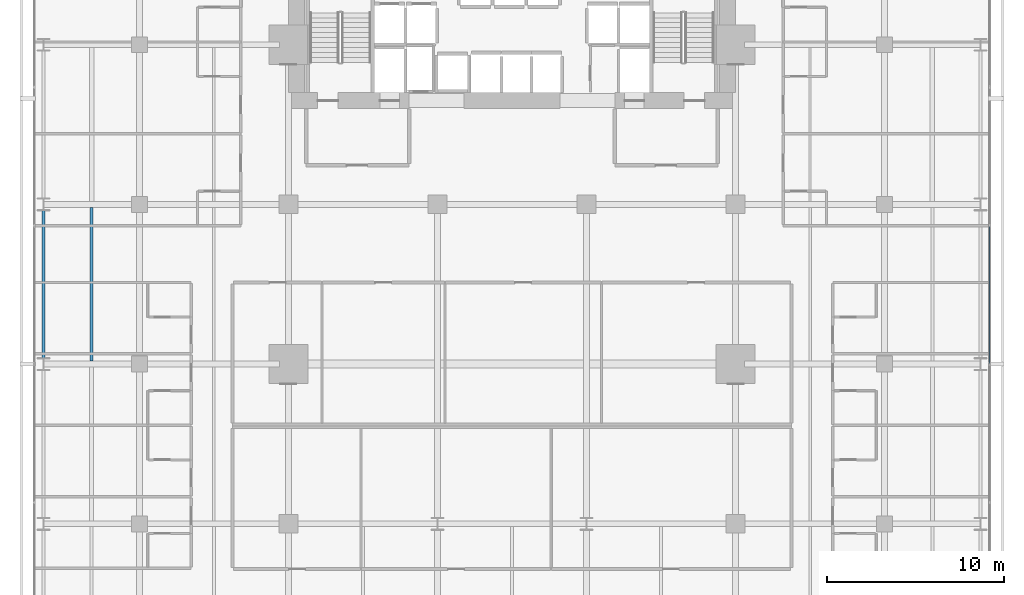
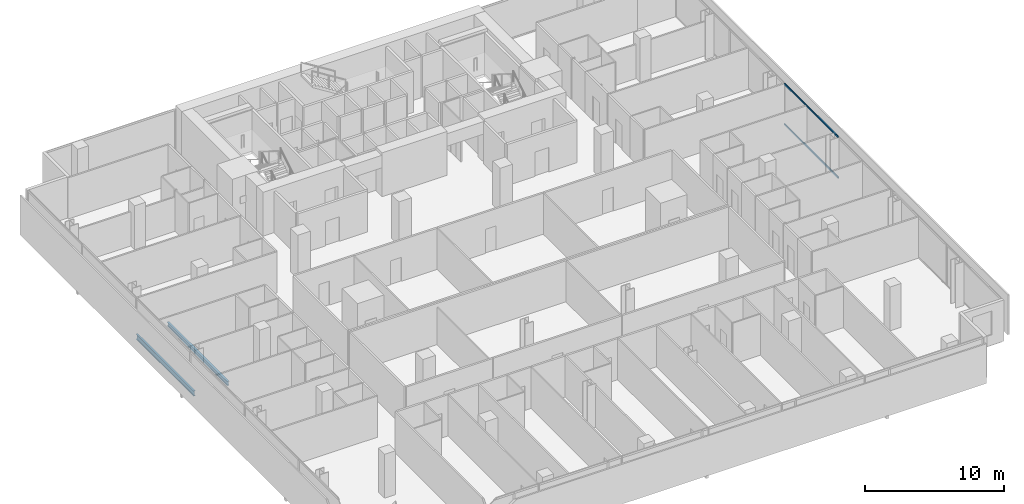
# One storey, part 20 of 40: 2 beams, 2 members, 1 element without a shape of its own.
"""IFC4 building model written with IfcOpenShell, lengths in metres."""

from ifc_helpers import new_model, si_unit, direction, frame, origin, origin_2d, place, context, subcontext, project, spatial, hollow_rectangle, i_section, extrude, material, layer, layer_set, material_profile, profile_set, type_object, element, aggregate, save


model = new_model("IFC4")

# Units and contexts
model_context = context("Model", 3, precision=1e-05, world=origin(), true_north=direction((0.0, 1.0)))
body_context = subcontext(model_context, "Body", "Model", "MODEL_VIEW")
ifc_project = project(units=[si_unit("LENGTHUNIT", "METRE"), si_unit("AREAUNIT", "SQUARE_METRE"), si_unit("VOLUMEUNIT", "CUBIC_METRE"), si_unit("PLANEANGLEUNIT", "RADIAN"), si_unit("MASSUNIT", "GRAM", prefix="KILO")], contexts=[model_context])

# Site, building, storey
site_placement = place(None, origin())
site = spatial("IfcSite", under=ifc_project, at=site_placement, CompositionType="ELEMENT")
building_placement = place(site_placement, origin())
building = spatial("IfcBuilding", under=site, at=building_placement, Name="Maruvema Waterfront Hotel and Observation Tower", CompositionType="ELEMENT")
storey_placement = place(building_placement, frame((0.0, 0.0, 80.85009765625)))
storey = spatial("IfcBuildingStorey", under=building, at=storey_placement, Name="L19", CompositionType="ELEMENT", Elevation=80.85009765625)

# Curtain wall, members
ifc_material_1 = material(Name="Anodised bronze aluminium and solar-control low-E IGU", Category="aluminium")
ifc_layer = layer(ifc_material_1, 0.159912109375, Name="Zone 1 Bronze Inner Thermal Curtain Wall System CW-02")
ifc_layer_set = layer_set([ifc_layer], Name="Anodised bronze aluminium and solar-control low-E IGU")
curtain_wall_type = type_object("IfcCurtainWallType", Name="Zone 1 Bronze Inner Thermal Curtain Wall System CW-02", PredefinedType="USERDEFINED", material=ifc_layer_set)
curtain_wall_placement = place(storey_placement, origin())
curtain_wall = element("IfcCurtainWall", 1, at=curtain_wall_placement, inside=storey, type_object=curtain_wall_type, Name="L19 Curtain Wall CW-L19-E", ObjectType="UNITISED CURTAIN WALL", PredefinedType="USERDEFINED")
ifc_material_2 = material(Name="Anodised architectural bronze aluminium", Category="aluminium")
ifc_material_profile_1 = material_profile(ifc_material_2, hollow_rectangle(XDim=0.070068359375, YDim=0.14990234375, WallThickness=0.00390625, at=origin_2d()), Name="ALU-T70x150")
ifc_profile_set_1 = profile_set([ifc_material_profile_1], Name="Anodised architectural bronze aluminium")
member_type = type_object("IfcMemberType", Name="Curtain Wall Horizontal Transom ALU-T70x150", PredefinedType="USERDEFINED", material=ifc_profile_set_1)
member_1_placement = place(storey_placement, frame((64.719970703125, 27.030029296875, 0.02978515625), z_axis=(0.0, 1.0, 0.0), x_axis=(-1.0, 0.0, 0.0)))
member_1 = element("IfcMember", 2, at=member_1_placement, type_object=member_type, Name="CW-02 transom 4.1", ObjectType="TRANSOM", PredefinedType="USERDEFINED", context=body_context, shape_type="SweptSolid", body=[
    extrude(hollow_rectangle(XDim=0.070068359375, YDim=0.14990234375, WallThickness=0.00390625, at=origin_2d()), origin(), (0.0, 0.0, 1.0), 7.739990234375),
])
member_2_placement = place(storey_placement, frame((64.719970703125, 27.030029296875, 3.579833984375), z_axis=(0.0, 1.0, 0.0), x_axis=(-1.0, 0.0, 0.0)))
member_2 = element("IfcMember", 3, at=member_2_placement, type_object=member_type, Name="CW-02 transom 4.2", ObjectType="TRANSOM", PredefinedType="USERDEFINED", context=body_context, shape_type="SweptSolid", body=[
    extrude(hollow_rectangle(XDim=0.070068359375, YDim=0.14990234375, WallThickness=0.00390625, at=origin_2d()), origin(), (0.0, 0.0, 1.0), 7.739990234375),
])
aggregate(curtain_wall, [member_1, member_2])

# Beams
ifc_material_3 = material(Name="Steel ASTM A572 Grade 50", Category="steel")
ifc_material_profile_2 = material_profile(ifc_material_3, i_section(OverallWidth=0.153076171875, OverallDepth=0.455078125, WebThickness=0.008056640625, FlangeThickness=0.01318359375, FilletRadius=0.014892578125, at=origin_2d()), Name="W460x60.0")
ifc_profile_set_2 = profile_set([ifc_material_profile_2], Name="Steel ASTM A572 Grade 50")
beam_type_1 = type_object("IfcBeamType", Name="Perimeter Spandrel Beam W460x60.0", PredefinedType="SPANDREL", material=ifc_profile_set_2)
beam_1_placement = place(storey_placement, frame((11.39990234375, 27.35009765625, -0.467529296875), z_axis=(0.0, 1.0, 0.0), x_axis=(-1.0, 0.0, 0.0)))
element("IfcBeam", 4, at=beam_1_placement, inside=storey, type_object=beam_type_1, Name="L19 Floor Girder NS-03", PredefinedType="SPANDREL", context=body_context, shape_type="SweptSolid", body=[
    extrude(i_section(OverallWidth=0.153076171875, OverallDepth=0.455078125, WebThickness=0.008056640625, FlangeThickness=0.01318359375, FilletRadius=0.014892578125, at=origin_2d()), origin(), (0.0, 0.0, 1.0), 8.2998046875),
])
ifc_material_4 = material(Name="Steel ASTM A572 Grade 50", Category="steel")
ifc_material_profile_3 = material_profile(ifc_material_4, i_section(OverallWidth=0.1708984375, OverallDepth=0.35498046875, WebThickness=0.007080078125, FlangeThickness=0.01171875, FilletRadius=0.014892578125, at=origin_2d()), Name="W360x51.0")
ifc_profile_set_3 = profile_set([ifc_material_profile_3], Name="Steel ASTM A572 Grade 50")
beam_type_2 = type_object("IfcBeamType", Name="Secondary Floor Joist W360x51.0", PredefinedType="JOIST", material=ifc_profile_set_3)
beam_2_placement = place(storey_placement, frame((14.10009765625, 27.162109375, -0.41748046875), z_axis=(0.0, 1.0, 0.0), x_axis=(-1.0, 0.0, 0.0)))
element("IfcBeam", 5, at=beam_2_placement, inside=storey, type_object=beam_type_2, Name="L19 Secondary Floor Joist JS-03", PredefinedType="JOIST", context=body_context, shape_type="SweptSolid", body=[
    extrude(i_section(OverallWidth=0.1708984375, OverallDepth=0.35498046875, WebThickness=0.007080078125, FlangeThickness=0.01171875, FilletRadius=0.014892578125, at=origin_2d()), origin(), (0.0, 0.0, 1.0), 8.67578125),
])

save(model, "model.ifc")
